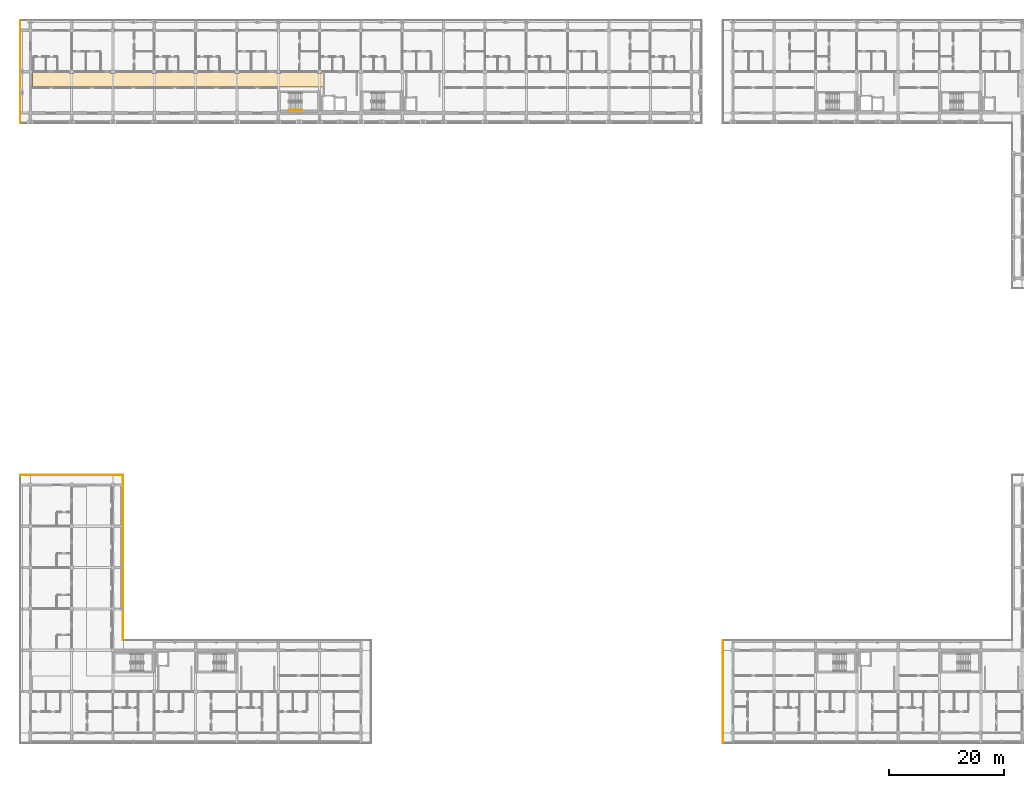
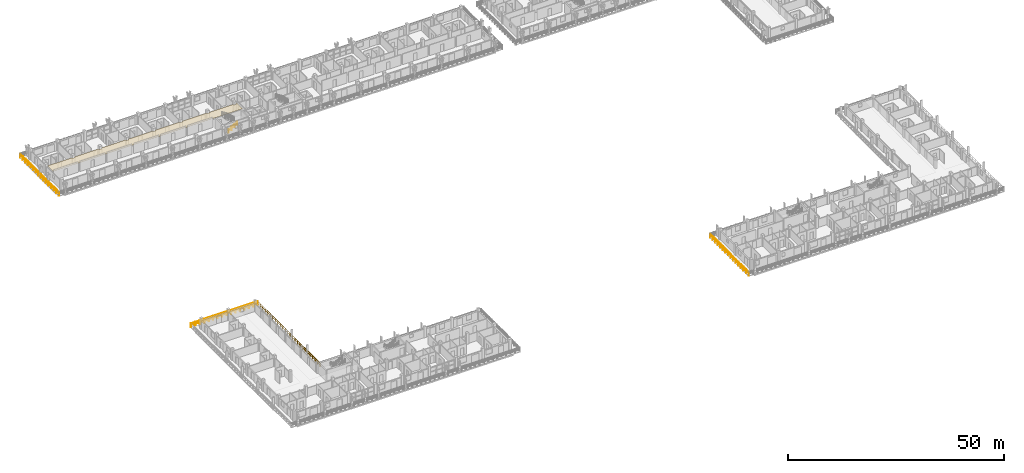
# One storey, part 65 of 76: 5 railings, 1 covering.
"""IFC4 building model written with IfcOpenShell, lengths in metres."""

from ifc_helpers import new_model, si_unit, direction, frame, origin, origin_2d, place, context, subcontext, project, spatial, polyline, rectangle, outline, extrude, material, layer, layer_set, type_object, element, save


model = new_model("IFC4")

# Units and contexts
model_context = context("Model", 3, precision=1e-05, world=origin(), true_north=direction((0.0, 1.0)))
body_context = subcontext(model_context, "Body", "Model", "MODEL_VIEW")
ifc_project = project(units=[si_unit("LENGTHUNIT", "METRE"), si_unit("AREAUNIT", "SQUARE_METRE"), si_unit("VOLUMEUNIT", "CUBIC_METRE"), si_unit("PLANEANGLEUNIT", "RADIAN"), si_unit("MASSUNIT", "GRAM", prefix="KILO")], contexts=[model_context])

# Site, building, storey
site_placement = place(None, origin())
site = spatial("IfcSite", under=ifc_project, at=site_placement, CompositionType="ELEMENT")
building_placement = place(site_placement, origin())
building = spatial("IfcBuilding", under=site, at=building_placement, Name="Suanplinth Sawtooth Commons", CompositionType="ELEMENT")
storey_placement = place(building_placement, frame((0.0, 0.0, 12.199951171875)))
storey = spatial("IfcBuildingStorey", under=building, at=storey_placement, Name="L03", CompositionType="ELEMENT", Elevation=12.199951171875)

# Covering
ifc_material_1 = material(Name="Mineral fibre acoustic tile")
ifc_layer = layer(ifc_material_1, 0.0400390625, Name="Perforated mineral-fibre acoustic suspended ceiling")
ifc_layer_set = layer_set([ifc_layer], Name="Mineral fibre acoustic tile")
covering_type = type_object("IfcCoveringType", Name="CV-CE01", PredefinedType="CEILING", material=ifc_layer_set)
covering_placement = place(storey_placement, frame((0.0, 0.0, 2.380126953125)))
element("IfcCovering", 1, at=covering_placement, inside=storey, type_object=covering_type, Name="L03 Block A Corridor Acoustic Ceiling", PredefinedType="CEILING", context=body_context, shape_type="SweptSolid", body=[
    extrude(outline(polyline([(0.360107421875, 112.5), (0.360107421875, 115.1201171875), (6.844970703125, 115.1201171875), (6.844970703125, 114.844970703125), (7.554931640625, 114.844970703125), (7.554931640625, 115.1201171875), (14.044921875, 115.1201171875), (14.044921875, 114.844970703125), (14.7548828125, 114.844970703125), (14.7548828125, 115.1201171875), (21.2451171875, 115.1201171875), (21.2451171875, 114.844970703125), (21.955078125, 114.844970703125), (21.955078125, 115.1201171875), (28.445068359375, 115.1201171875), (28.445068359375, 114.844970703125), (29.155029296875, 114.844970703125), (29.155029296875, 115.1201171875), (35.64501953125, 115.1201171875), (35.64501953125, 114.844970703125), (36.35498046875, 114.844970703125), (36.35498046875, 115.1201171875), (42.844970703125, 115.1201171875), (42.844970703125, 114.844970703125), (43.554931640625, 114.844970703125), (43.554931640625, 115.1201171875), (50.044921875, 115.1201171875), (50.044921875, 114.844970703125), (50.7548828125, 114.844970703125), (50.7548828125, 115.1201171875), (51.080078125, 115.1201171875), (51.080078125, 112.5), (0.360107421875, 112.5)])), origin(), (0.0, 0.0, 1.0), 0.0400390625),
])

# Railings
ifc_material_2 = material(Name="Powder-coated galvanized steel", Category="steel")
railing_type_1 = type_object("IfcRailingType", Name="GR-01", PredefinedType="BALUSTRADE", material=ifc_material_2)
railing_1_placement = place(storey_placement, frame((-1.739990234375, 106.260009765625, 0.0)))
element("IfcRailing", 2, at=railing_1_placement, inside=storey, type_object=railing_type_1, Name="L03 Block A Perimeter Balustrade 1", PredefinedType="BALUSTRADE", context=body_context, shape_type="SweptSolid", body=[
    extrude(rectangle(XDim=0.048095703125, YDim=0.048095703125, at=origin_2d()), frame((0.0, 0.0, 1.09619140625), z_axis=(0.0, 1.0, 0.0), x_axis=(-1.0, 0.0, 0.0)), (0.0, 0.0, 1.0), 17.8798828125),
    extrude(rectangle(XDim=0.03369140625, YDim=0.03369140625, at=origin_2d()), frame((0.0, 0.0, 0.56005859375), z_axis=(0.0, 1.0, 0.0), x_axis=(-1.0, 0.0, 0.0)), (0.0, 0.0, 1.0), 17.8798828125),
    extrude(rectangle(XDim=0.0419921875, YDim=0.0419921875, at=origin_2d()), origin(), (0.0, 0.0, 1.0), 1.072021484375),
    extrude(rectangle(XDim=0.0419921875, YDim=0.0419921875, at=origin_2d()), frame((0.0, 1.19189453125, 0.0)), (0.0, 0.0, 1.0), 1.072021484375),
    extrude(rectangle(XDim=0.0419921875, YDim=0.0419921875, at=origin_2d()), frame((0.0, 2.384033203125, 0.0)), (0.0, 0.0, 1.0), 1.072021484375),
    extrude(rectangle(XDim=0.0419921875, YDim=0.0419921875, at=origin_2d()), frame((0.0, 3.575927734375, 0.0)), (0.0, 0.0, 1.0), 1.072021484375),
    extrude(rectangle(XDim=0.0419921875, YDim=0.0419921875, at=origin_2d()), frame((0.0, 4.76806640625, 0.0)), (0.0, 0.0, 1.0), 1.072021484375),
    extrude(rectangle(XDim=0.0419921875, YDim=0.0419921875, at=origin_2d()), frame((0.0, 5.9599609375, 0.0)), (0.0, 0.0, 1.0), 1.072021484375),
    extrude(rectangle(XDim=0.0419921875, YDim=0.0419921875, at=origin_2d()), frame((0.0, 7.15185546875, 0.0)), (0.0, 0.0, 1.0), 1.072021484375),
    extrude(rectangle(XDim=0.0419921875, YDim=0.0419921875, at=origin_2d()), frame((0.0, 8.343994140625, 0.0)), (0.0, 0.0, 1.0), 1.072021484375),
    extrude(rectangle(XDim=0.0419921875, YDim=0.0419921875, at=origin_2d()), frame((0.0, 9.535888671875, 0.0)), (0.0, 0.0, 1.0), 1.072021484375),
    extrude(rectangle(XDim=0.0419921875, YDim=0.0419921875, at=origin_2d()), frame((0.0, 10.72802734375, 0.0)), (0.0, 0.0, 1.0), 1.072021484375),
    extrude(rectangle(XDim=0.0419921875, YDim=0.0419921875, at=origin_2d()), frame((0.0, 11.919921875, 0.0)), (0.0, 0.0, 1.0), 1.072021484375),
    extrude(rectangle(XDim=0.0419921875, YDim=0.0419921875, at=origin_2d()), frame((0.0, 13.11181640625, 0.0)), (0.0, 0.0, 1.0), 1.072021484375),
    extrude(rectangle(XDim=0.0419921875, YDim=0.0419921875, at=origin_2d()), frame((0.0, 14.303955078125, 0.0)), (0.0, 0.0, 1.0), 1.072021484375),
    extrude(rectangle(XDim=0.0419921875, YDim=0.0419921875, at=origin_2d()), frame((0.0, 15.495849609375, 0.0)), (0.0, 0.0, 1.0), 1.072021484375),
    extrude(rectangle(XDim=0.0419921875, YDim=0.0419921875, at=origin_2d()), frame((0.0, 16.68798828125, 0.0)), (0.0, 0.0, 1.0), 1.072021484375),
    extrude(rectangle(XDim=0.0419921875, YDim=0.0419921875, at=origin_2d()), frame((0.0, 17.8798828125, 0.0)), (0.0, 0.0, 1.0), 1.072021484375),
])
railing_2_placement = place(storey_placement, frame((120.659912109375, -1.739990234375, 0.0)))
element("IfcRailing", 3, at=railing_2_placement, inside=storey, type_object=railing_type_1, Name="L03 Block C Perimeter Balustrade 1", PredefinedType="BALUSTRADE", context=body_context, shape_type="SweptSolid", body=[
    extrude(rectangle(XDim=0.048095703125, YDim=0.048095703125, at=origin_2d()), frame((0.0, 0.0, 1.09619140625), z_axis=(0.0, 1.0, 0.0), x_axis=(-1.0, 0.0, 0.0)), (0.0, 0.0, 1.0), 17.8798828125),
    extrude(rectangle(XDim=0.03369140625, YDim=0.03369140625, at=origin_2d()), frame((0.0, 0.0, 0.56005859375), z_axis=(0.0, 1.0, 0.0), x_axis=(-1.0, 0.0, 0.0)), (0.0, 0.0, 1.0), 17.8798828125),
    extrude(rectangle(XDim=0.0419921875, YDim=0.0419921875, at=origin_2d()), origin(), (0.0, 0.0, 1.0), 1.072021484375),
    extrude(rectangle(XDim=0.0419921875, YDim=0.0419921875, at=origin_2d()), frame((0.0, 1.19189453125, 0.0)), (0.0, 0.0, 1.0), 1.072021484375),
    extrude(rectangle(XDim=0.0419921875, YDim=0.0419921875, at=origin_2d()), frame((0.0, 2.384033203125, 0.0)), (0.0, 0.0, 1.0), 1.072021484375),
    extrude(rectangle(XDim=0.0419921875, YDim=0.0419921875, at=origin_2d()), frame((0.0, 3.575927734375, 0.0)), (0.0, 0.0, 1.0), 1.072021484375),
    extrude(rectangle(XDim=0.0419921875, YDim=0.0419921875, at=origin_2d()), frame((0.0, 4.76806640625, 0.0)), (0.0, 0.0, 1.0), 1.072021484375),
    extrude(rectangle(XDim=0.0419921875, YDim=0.0419921875, at=origin_2d()), frame((0.0, 5.9599609375, 0.0)), (0.0, 0.0, 1.0), 1.072021484375),
    extrude(rectangle(XDim=0.0419921875, YDim=0.0419921875, at=origin_2d()), frame((0.0, 7.15185546875, 0.0)), (0.0, 0.0, 1.0), 1.072021484375),
    extrude(rectangle(XDim=0.0419921875, YDim=0.0419921875, at=origin_2d()), frame((0.0, 8.343994140625, 0.0)), (0.0, 0.0, 1.0), 1.072021484375),
    extrude(rectangle(XDim=0.0419921875, YDim=0.0419921875, at=origin_2d()), frame((0.0, 9.535888671875, 0.0)), (0.0, 0.0, 1.0), 1.072021484375),
    extrude(rectangle(XDim=0.0419921875, YDim=0.0419921875, at=origin_2d()), frame((0.0, 10.72802734375, 0.0)), (0.0, 0.0, 1.0), 1.072021484375),
    extrude(rectangle(XDim=0.0419921875, YDim=0.0419921875, at=origin_2d()), frame((0.0, 11.919921875, 0.0)), (0.0, 0.0, 1.0), 1.072021484375),
    extrude(rectangle(XDim=0.0419921875, YDim=0.0419921875, at=origin_2d()), frame((0.0, 13.11181640625, 0.0)), (0.0, 0.0, 1.0), 1.072021484375),
    extrude(rectangle(XDim=0.0419921875, YDim=0.0419921875, at=origin_2d()), frame((0.0, 14.303955078125, 0.0)), (0.0, 0.0, 1.0), 1.072021484375),
    extrude(rectangle(XDim=0.0419921875, YDim=0.0419921875, at=origin_2d()), frame((0.0, 15.495849609375, 0.0)), (0.0, 0.0, 1.0), 1.072021484375),
    extrude(rectangle(XDim=0.0419921875, YDim=0.0419921875, at=origin_2d()), frame((0.0, 16.68798828125, 0.0)), (0.0, 0.0, 1.0), 1.072021484375),
    extrude(rectangle(XDim=0.0419921875, YDim=0.0419921875, at=origin_2d()), frame((0.0, 17.8798828125, 0.0)), (0.0, 0.0, 1.0), 1.072021484375),
])
railing_3_placement = place(storey_placement, frame((-1.739990234375, 44.93994140625, 0.0)))
element("IfcRailing", 4, at=railing_3_placement, inside=storey, type_object=railing_type_1, Name="L03 Block D Perimeter Balustrade 2", PredefinedType="BALUSTRADE", context=body_context, shape_type="SweptSolid", body=[
    extrude(rectangle(XDim=0.048095703125, YDim=0.048095703125, at=origin_2d()), frame((0.0, 0.0, 1.09619140625), z_axis=(1.0, 0.0, 0.0), x_axis=(0.0, 1.0, 0.0)), (0.0, 0.0, 1.0), 17.8798828125),
    extrude(rectangle(XDim=0.03369140625, YDim=0.03369140625, at=origin_2d()), frame((0.0, 0.0, 0.56005859375), z_axis=(1.0, 0.0, 0.0), x_axis=(0.0, 1.0, 0.0)), (0.0, 0.0, 1.0), 17.8798828125),
    extrude(rectangle(XDim=0.0419921875, YDim=0.0419921875, at=origin_2d()), origin(), (0.0, 0.0, 1.0), 1.072021484375),
    extrude(rectangle(XDim=0.0419921875, YDim=0.0419921875, at=origin_2d()), frame((1.19189453125, 0.0, 0.0)), (0.0, 0.0, 1.0), 1.072021484375),
    extrude(rectangle(XDim=0.0419921875, YDim=0.0419921875, at=origin_2d()), frame((2.384033203125, 0.0, 0.0)), (0.0, 0.0, 1.0), 1.072021484375),
    extrude(rectangle(XDim=0.0419921875, YDim=0.0419921875, at=origin_2d()), frame((3.575927734375, 0.0, 0.0)), (0.0, 0.0, 1.0), 1.072021484375),
    extrude(rectangle(XDim=0.0419921875, YDim=0.0419921875, at=origin_2d()), frame((4.76806640625, 0.0, 0.0)), (0.0, 0.0, 1.0), 1.072021484375),
    extrude(rectangle(XDim=0.0419921875, YDim=0.0419921875, at=origin_2d()), frame((5.9599609375, 0.0, 0.0)), (0.0, 0.0, 1.0), 1.072021484375),
    extrude(rectangle(XDim=0.0419921875, YDim=0.0419921875, at=origin_2d()), frame((7.15185546875, 0.0, 0.0)), (0.0, 0.0, 1.0), 1.072021484375),
    extrude(rectangle(XDim=0.0419921875, YDim=0.0419921875, at=origin_2d()), frame((8.343994140625, 0.0, 0.0)), (0.0, 0.0, 1.0), 1.072021484375),
    extrude(rectangle(XDim=0.0419921875, YDim=0.0419921875, at=origin_2d()), frame((9.535888671875, 0.0, 0.0)), (0.0, 0.0, 1.0), 1.072021484375),
    extrude(rectangle(XDim=0.0419921875, YDim=0.0419921875, at=origin_2d()), frame((10.72802734375, 0.0, 0.0)), (0.0, 0.0, 1.0), 1.072021484375),
    extrude(rectangle(XDim=0.0419921875, YDim=0.0419921875, at=origin_2d()), frame((11.919921875, 0.0, 0.0)), (0.0, 0.0, 1.0), 1.072021484375),
    extrude(rectangle(XDim=0.0419921875, YDim=0.0419921875, at=origin_2d()), frame((13.11181640625, 0.0, 0.0)), (0.0, 0.0, 1.0), 1.072021484375),
    extrude(rectangle(XDim=0.0419921875, YDim=0.0419921875, at=origin_2d()), frame((14.303955078125, 0.0, 0.0)), (0.0, 0.0, 1.0), 1.072021484375),
    extrude(rectangle(XDim=0.0419921875, YDim=0.0419921875, at=origin_2d()), frame((15.495849609375, 0.0, 0.0)), (0.0, 0.0, 1.0), 1.072021484375),
    extrude(rectangle(XDim=0.0419921875, YDim=0.0419921875, at=origin_2d()), frame((16.68798828125, 0.0, 0.0)), (0.0, 0.0, 1.0), 1.072021484375),
    extrude(rectangle(XDim=0.0419921875, YDim=0.0419921875, at=origin_2d()), frame((17.8798828125, 0.0, 0.0)), (0.0, 0.0, 1.0), 1.072021484375),
])
railing_4_placement = place(storey_placement, frame((16.139892578125, 44.93994140625, 0.0)))
element("IfcRailing", 5, at=railing_4_placement, inside=storey, type_object=railing_type_1, Name="L03 Block D Perimeter Balustrade 3", PredefinedType="BALUSTRADE", context=body_context, shape_type="SweptSolid", body=[
    extrude(rectangle(XDim=0.048095703125, YDim=0.048095703125, at=origin_2d()), frame((0.0, 0.0, 1.09619140625), z_axis=(0.0, -1.0, 0.0), x_axis=(1.0, 0.0, 0.0)), (0.0, 0.0, 1.0), 28.800048828125),
    extrude(rectangle(XDim=0.03369140625, YDim=0.03369140625, at=origin_2d()), frame((0.0, 0.0, 0.56005859375), z_axis=(0.0, -1.0, 0.0), x_axis=(1.0, 0.0, 0.0)), (0.0, 0.0, 1.0), 28.800048828125),
    extrude(rectangle(XDim=0.0419921875, YDim=0.0419921875, at=origin_2d()), origin(), (0.0, 0.0, 1.0), 1.072021484375),
    extrude(rectangle(XDim=0.0419921875, YDim=0.0419921875, at=origin_2d()), frame((0.0, -1.152099609375, 0.0)), (0.0, 0.0, 1.0), 1.072021484375),
    extrude(rectangle(XDim=0.0419921875, YDim=0.0419921875, at=origin_2d()), frame((0.0, -2.303955078125, 0.0)), (0.0, 0.0, 1.0), 1.072021484375),
    extrude(rectangle(XDim=0.0419921875, YDim=0.0419921875, at=origin_2d()), frame((0.0, -3.4560546875, 0.0)), (0.0, 0.0, 1.0), 1.072021484375),
    extrude(rectangle(XDim=0.0419921875, YDim=0.0419921875, at=origin_2d()), frame((0.0, -4.60791015625, 0.0)), (0.0, 0.0, 1.0), 1.072021484375),
    extrude(rectangle(XDim=0.0419921875, YDim=0.0419921875, at=origin_2d()), frame((0.0, -5.760009765625, 0.0)), (0.0, 0.0, 1.0), 1.072021484375),
    extrude(rectangle(XDim=0.0419921875, YDim=0.0419921875, at=origin_2d()), frame((0.0, -6.912109375, 0.0)), (0.0, 0.0, 1.0), 1.072021484375),
    extrude(rectangle(XDim=0.0419921875, YDim=0.0419921875, at=origin_2d()), frame((0.0, -8.06396484375, 0.0)), (0.0, 0.0, 1.0), 1.072021484375),
    extrude(rectangle(XDim=0.0419921875, YDim=0.0419921875, at=origin_2d()), frame((0.0, -9.216064453125, 0.0)), (0.0, 0.0, 1.0), 1.072021484375),
    extrude(rectangle(XDim=0.0419921875, YDim=0.0419921875, at=origin_2d()), frame((0.0, -10.367919921875, 0.0)), (0.0, 0.0, 1.0), 1.072021484375),
    extrude(rectangle(XDim=0.0419921875, YDim=0.0419921875, at=origin_2d()), frame((0.0, -11.52001953125, 0.0)), (0.0, 0.0, 1.0), 1.072021484375),
    extrude(rectangle(XDim=0.0419921875, YDim=0.0419921875, at=origin_2d()), frame((0.0, -12.672119140625, 0.0)), (0.0, 0.0, 1.0), 1.072021484375),
    extrude(rectangle(XDim=0.0419921875, YDim=0.0419921875, at=origin_2d()), frame((0.0, -13.823974609375, 0.0)), (0.0, 0.0, 1.0), 1.072021484375),
    extrude(rectangle(XDim=0.0419921875, YDim=0.0419921875, at=origin_2d()), frame((0.0, -14.97607421875, 0.0)), (0.0, 0.0, 1.0), 1.072021484375),
    extrude(rectangle(XDim=0.0419921875, YDim=0.0419921875, at=origin_2d()), frame((0.0, -16.1279296875, 0.0)), (0.0, 0.0, 1.0), 1.072021484375),
    extrude(rectangle(XDim=0.0419921875, YDim=0.0419921875, at=origin_2d()), frame((0.0, -17.280029296875, 0.0)), (0.0, 0.0, 1.0), 1.072021484375),
    extrude(rectangle(XDim=0.0419921875, YDim=0.0419921875, at=origin_2d()), frame((0.0, -18.43212890625, 0.0)), (0.0, 0.0, 1.0), 1.072021484375),
    extrude(rectangle(XDim=0.0419921875, YDim=0.0419921875, at=origin_2d()), frame((0.0, -19.583984375, 0.0)), (0.0, 0.0, 1.0), 1.072021484375),
    extrude(rectangle(XDim=0.0419921875, YDim=0.0419921875, at=origin_2d()), frame((0.0, -20.736083984375, 0.0)), (0.0, 0.0, 1.0), 1.072021484375),
    extrude(rectangle(XDim=0.0419921875, YDim=0.0419921875, at=origin_2d()), frame((0.0, -21.887939453125, 0.0)), (0.0, 0.0, 1.0), 1.072021484375),
    extrude(rectangle(XDim=0.0419921875, YDim=0.0419921875, at=origin_2d()), frame((0.0, -23.0400390625, 0.0)), (0.0, 0.0, 1.0), 1.072021484375),
    extrude(rectangle(XDim=0.0419921875, YDim=0.0419921875, at=origin_2d()), frame((0.0, -24.192138671875, 0.0)), (0.0, 0.0, 1.0), 1.072021484375),
    extrude(rectangle(XDim=0.0419921875, YDim=0.0419921875, at=origin_2d()), frame((0.0, -25.343994140625, 0.0)), (0.0, 0.0, 1.0), 1.072021484375),
    extrude(rectangle(XDim=0.0419921875, YDim=0.0419921875, at=origin_2d()), frame((0.0, -26.49609375, 0.0)), (0.0, 0.0, 1.0), 1.072021484375),
    extrude(rectangle(XDim=0.0419921875, YDim=0.0419921875, at=origin_2d()), frame((0.0, -27.64794921875, 0.0)), (0.0, 0.0, 1.0), 1.072021484375),
    extrude(rectangle(XDim=0.0419921875, YDim=0.0419921875, at=origin_2d()), frame((0.0, -28.800048828125, 0.0)), (0.0, 0.0, 1.0), 1.072021484375),
])
ifc_material_3 = material(Name="Stainless steel Grade 304", Category="steel")
railing_type_2 = type_object("IfcRailingType", Name="HR-01", PredefinedType="HANDRAIL", material=ifc_material_3)
railing_5_placement = place(storey_placement, frame((45.050048828125, 108.5, 0.177734375)))
element("IfcRailing", 6, at=railing_5_placement, inside=storey, type_object=railing_type_2, Name="L03 ST-N1 Handrail 1", PredefinedType="HANDRAIL", context=body_context, shape_type="SweptSolid", body=[
    extrude(rectangle(XDim=0.048095703125, YDim=0.048095703125, at=origin_2d()), frame((0.0, 0.0, 0.8759765625), z_axis=(0.848442045328, 0.0, 0.529288291689), x_axis=(0.0, 1.0, 0.0)), (0.0, 0.0, 1.0), 2.687255859375),
    extrude(rectangle(XDim=0.03369140625, YDim=0.03369140625, at=origin_2d()), frame((0.0, 0.0, 0.449951171875), z_axis=(0.848442045328, 0.0, 0.529288291689), x_axis=(0.0, 1.0, 0.0)), (0.0, 0.0, 1.0), 2.687255859375),
    extrude(rectangle(XDim=0.0419921875, YDim=0.0419921875, at=origin_2d()), origin(), (0.0, 0.0, 1.0), 0.851806640625),
    extrude(rectangle(XDim=0.0419921875, YDim=0.0419921875, at=origin_2d()), frame((0.760009765625, 0.0, 0.47412109375)), (0.0, 0.0, 1.0), 0.851806640625),
    extrude(rectangle(XDim=0.0419921875, YDim=0.0419921875, at=origin_2d()), frame((1.52001953125, 0.0, 0.9482421875)), (0.0, 0.0, 1.0), 0.851806640625),
    extrude(rectangle(XDim=0.0419921875, YDim=0.0419921875, at=origin_2d()), frame((2.280029296875, 0.0, 1.42236328125)), (0.0, 0.0, 1.0), 0.851806640625),
])

save(model, "model.ifc")
